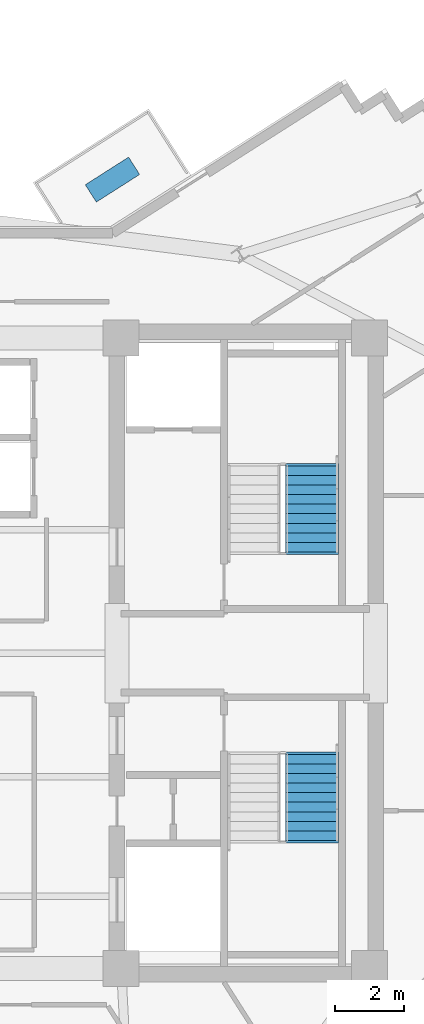
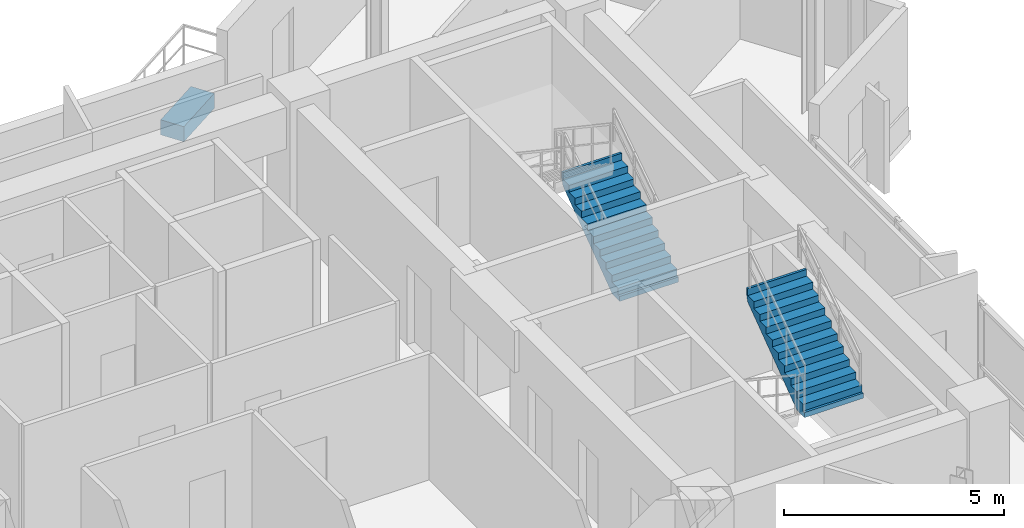
# One storey, part 9 of 12: 2 stair flights, 1 discrete accessory, 2 elements without a shape of their own.
"""IFC4 building model written with IfcOpenShell, lengths in metres."""

from ifc_helpers import new_model, si_unit, direction, frame, origin, origin_2d, place, context, subcontext, project, spatial, polyline, rectangle, outline, extrude, source, transform, mapped, material, type_object, element, aggregate, save


model = new_model("IFC4")

# Units and contexts
model_context = context("Model", 3, precision=1e-05, world=origin(), true_north=direction((0.0, 1.0)))
body_context = subcontext(model_context, "Body", "Model", "MODEL_VIEW")
ifc_project = project(units=[si_unit("LENGTHUNIT", "METRE"), si_unit("AREAUNIT", "SQUARE_METRE"), si_unit("VOLUMEUNIT", "CUBIC_METRE"), si_unit("PLANEANGLEUNIT", "RADIAN"), si_unit("MASSUNIT", "GRAM", prefix="KILO")], contexts=[model_context])

# Site, building, storey
site_placement = place(None, origin())
site = spatial("IfcSite", under=ifc_project, at=site_placement, CompositionType="ELEMENT")
building_placement = place(site_placement, origin())
building = spatial("IfcBuilding", under=site, at=building_placement, Name="Zahravan Cultural Tower", CompositionType="ELEMENT")
storey_placement = place(building_placement, frame((0.0, 0.0, 265.35009765625)))
storey = spatial("IfcBuildingStorey", under=building, at=storey_placement, Name="L63", CompositionType="ELEMENT", Elevation=265.35009765625)

# Stair, stair flight
ifc_material_1 = material(Name="Concrete C45/55", Category="concrete")
stair_type = type_object("IfcStairType", Name="STR-DL-1550-375", PredefinedType="HALF_TURN_STAIR", material=ifc_material_1)
stair_1_placement = place(storey_placement, origin())
stair_1 = element("IfcStair", 1, at=stair_1_placement, inside=storey, type_object=stair_type, Name="L63 East Core North Exit Stair ST-E1", PredefinedType="HALF_TURN_STAIR")
stair_flight_type = type_object("IfcStairFlightType", Name="FLG-DL-1550-375", PredefinedType="STRAIGHT", material=ifc_material_1)
stair_flight_1_placement = place(storey_placement, frame((48.675048828125, 29.949951171875, 0.0), z_axis=(0.0, 0.0, 1.0), x_axis=(0.0, 1.0, 0.0)))
stair_flight_1 = element("IfcStairFlight", 2, at=stair_flight_1_placement, type_object=stair_flight_type, Name="ST-E1 flight 1", NumberOfRisers=10, NumberOfTreads=9, PredefinedType="STRAIGHT", RiserHeight=0.1875, TreadLength=0.28, context=body_context, shape_type="SweptSolid", body=[
    extrude(outline(polyline([(-0.06494140625, -0.139892578125), (-0.06494140625, 0.0), (0.0, 0.0), (0.0, 0.1875), (0.280029296875, 0.1875), (0.280029296875, 0.375), (0.56005859375, 0.375), (0.56005859375, 0.5625), (0.840087890625, 0.5625), (0.840087890625, 0.75), (1.1201171875, 0.75), (1.1201171875, 0.9375), (1.39990234375, 0.9375), (1.39990234375, 1.125), (1.679931640625, 1.125), (1.679931640625, 1.3125), (1.9599609375, 1.3125), (1.9599609375, 1.5), (2.239990234375, 1.5), (2.239990234375, 1.6875), (2.52001953125, 1.6875), (2.52001953125, 1.875), (2.5849609375, 1.875), (2.5849609375, 1.72509765625), (2.52001953125, 1.507080078125), (0.26953125, -0.139892578125), (-0.06494140625, -0.139892578125)])), frame((0.0, 0.77490234375, 0.0), z_axis=(0.0, -1.0, 0.0), x_axis=(1.0, 0.0, 0.0)), (0.0, 0.0, 1.0), 1.550048828125),
])
aggregate(stair_1, [stair_flight_1])

stair_2_placement = place(storey_placement, origin())
stair_2 = element("IfcStair", 3, at=stair_2_placement, inside=storey, type_object=stair_type, Name="L63 East Core South Exit Stair ST-E2", PredefinedType="HALF_TURN_STAIR")
stair_flight_2_placement = place(storey_placement, frame((48.675048828125, 21.530029296875, 1.875), z_axis=(0.0, 0.0, 1.0), x_axis=(0.0, 1.0, 0.0)))
stair_flight_2 = element("IfcStairFlight", 4, at=stair_flight_2_placement, type_object=stair_flight_type, Name="ST-E2 flight 2", NumberOfRisers=10, NumberOfTreads=9, PredefinedType="STRAIGHT", RiserHeight=0.1875, TreadLength=0.28, context=body_context, shape_type="SweptSolid", body=[
    extrude(outline(polyline([(-0.06494140625, -0.139892578125), (-0.06494140625, 0.0), (0.0, 0.0), (0.0, 0.1875), (0.280029296875, 0.1875), (0.280029296875, 0.375), (0.56005859375, 0.375), (0.56005859375, 0.5625), (0.840087890625, 0.5625), (0.840087890625, 0.75), (1.1201171875, 0.75), (1.1201171875, 0.9375), (1.39990234375, 0.9375), (1.39990234375, 1.125), (1.679931640625, 1.125), (1.679931640625, 1.3125), (1.9599609375, 1.3125), (1.9599609375, 1.5), (2.239990234375, 1.5), (2.239990234375, 1.6875), (2.52001953125, 1.6875), (2.52001953125, 1.875), (2.5849609375, 1.875), (2.5849609375, 1.72509765625), (2.52001953125, 1.507080078125), (0.26953125, -0.139892578125), (-0.06494140625, -0.139892578125)])), frame((0.0, 0.77490234375, 0.0), z_axis=(0.0, -1.0, 0.0), x_axis=(1.0, 0.0, 0.0)), (0.0, 0.0, 1.0), 1.550048828125),
])
aggregate(stair_2, [stair_flight_2])

# Discrete accessory
ifc_material_2 = material(Name="Planted soil and terracotta planter", Category="masonry")
discrete_accessory_type = type_object("IfcDiscreteAccessoryType", Name="ACC-PLANTER-TC", PredefinedType="USERDEFINED", material=ifc_material_2)
shared_shape = source(origin(), body_context, "Body", "SweptSolid", [
    extrude(rectangle(XDim=1.5, YDim=0.60009765625, at=origin_2d()), origin(), (0.0, 0.0, 1.0), 0.419921875),
])
discrete_accessory_placement = place(storey_placement, frame((42.846435546875, 40.820556640625, 0.0), z_axis=(0.0, 0.0, 1.0), x_axis=(0.843391445813, 0.537299608347, 0.0)))
element("IfcDiscreteAccessory", 5, at=discrete_accessory_placement, inside=storey, type_object=discrete_accessory_type, Name="L63 Terracotta Sculpture Planter NE", ObjectType="PLANTER", PredefinedType="USERDEFINED", context=body_context, shape_type="MappedRepresentation", body=[
    mapped(shared_shape, transform((0.0, 0.0, 0.0), x_axis=(1.0, 0.0, 0.0), y_axis=(0.0, 1.0, 0.0), z_axis=(0.0, 0.0, 1.0), scale=1.0)),
])

save(model, "model.ifc")
